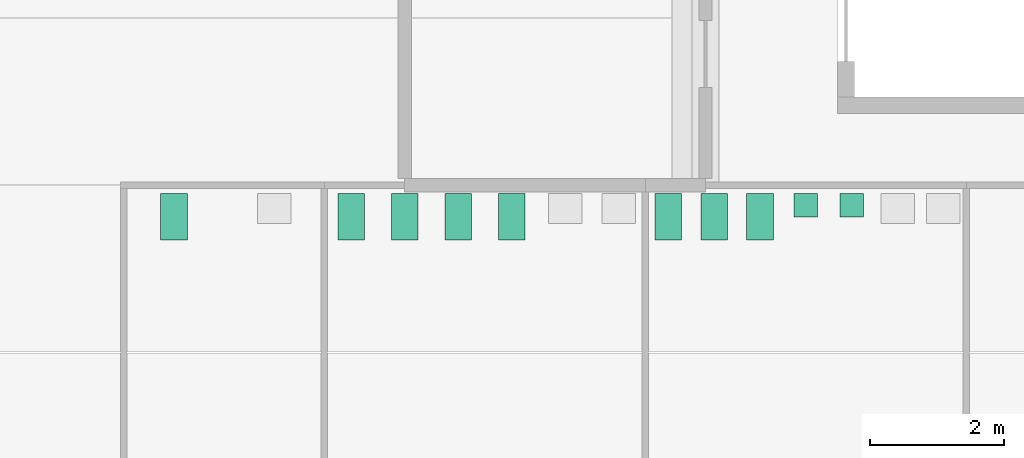
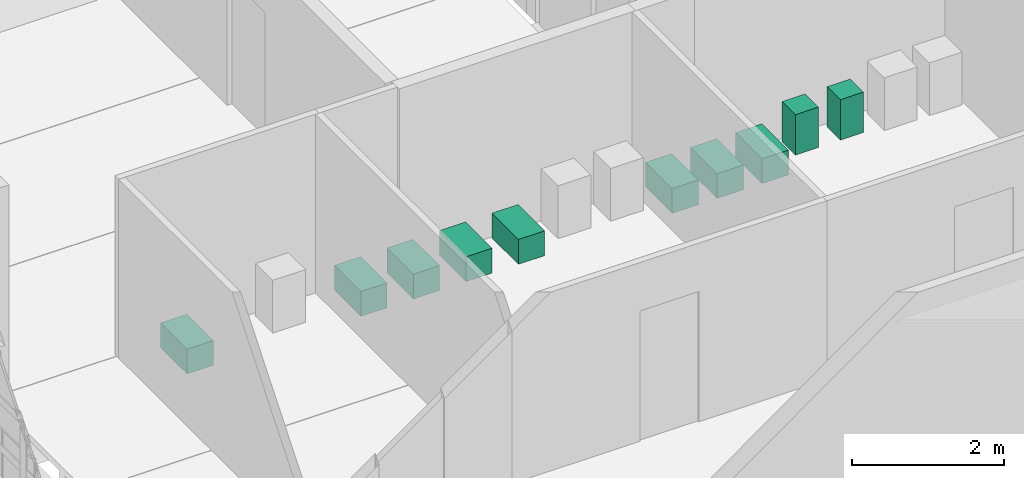
# One storey, part 67 of 67: 10 sanitary terminals.
"""IFC4 building model written with IfcOpenShell, lengths in metres."""

from ifc_helpers import new_model, si_unit, direction, frame, origin, origin_2d, place, context, subcontext, project, spatial, rectangle, extrude, material, type_object, element, save


model = new_model("IFC4")

# Units and contexts
model_context = context("Model", 3, precision=1e-05, world=origin(), true_north=direction((0.0, 1.0)))
body_context = subcontext(model_context, "Body", "Model", "MODEL_VIEW")
ifc_project = project(units=[si_unit("LENGTHUNIT", "METRE"), si_unit("AREAUNIT", "SQUARE_METRE"), si_unit("VOLUMEUNIT", "CUBIC_METRE"), si_unit("PLANEANGLEUNIT", "RADIAN"), si_unit("MASSUNIT", "GRAM", prefix="KILO")], contexts=[model_context])

# Site, building, storey
site_placement = place(None, origin())
site = spatial("IfcSite", under=ifc_project, at=site_placement, CompositionType="ELEMENT")
building_placement = place(site_placement, origin())
building = spatial("IfcBuilding", under=site, at=building_placement, Name="Cour d'Honneur Mobility Palace", CompositionType="ELEMENT")
storey_placement = place(building_placement, frame((0.0, 0.0, 4.5)))
storey = spatial("IfcBuildingStorey", under=building, at=storey_placement, Name="L01", CompositionType="ELEMENT", Elevation=4.5)

# Sanitary terminals
ifc_material_1 = material(Name="Vitreous china")
sanitary_terminal_type_1 = type_object("IfcSanitaryTerminalType", Name="Urinal", PredefinedType="URINAL", material=ifc_material_1)
for number, where, z_axis, x_axis, name in (
    (1, (157.5, 107.10498046875, 0.0), (0.0, 0.0, 1.0), (1.0, 0.0, 0.0), "Urinal WC Men East"),
    (2, (158.185791015625, 107.10498046875, 0.0), (0.0, 0.0, 1.0), (1.0, 0.0, 0.0), "Urinal WC Men East"),
):
    element("IfcSanitaryTerminal", number, at=place(storey_placement, frame(where, z_axis=z_axis, x_axis=x_axis)), inside=storey, type_object=sanitary_terminal_type_1, Name=name, PredefinedType="URINAL", context=body_context, shape_type="SweptSolid", body=[
        extrude(rectangle(XDim=0.35009765625, YDim=0.35009765625, at=origin_2d()), origin(), (0.0, 0.0, 1.0), 0.64990234375),
    ])
ifc_material_2 = material(Name="Vitreous china")
sanitary_terminal_type_2 = type_object("IfcSanitaryTerminalType", Name="Water closet", PredefinedType="WCSEAT", material=ifc_material_2)
for number, where, z_axis, x_axis, name in (
    (3, (155.44287109375, 106.929931640625, 0.0), (0.0, 0.0, 1.0), (1.0, 0.0, 0.0), "Water closet WC Men East"),
    (4, (156.128662109375, 106.929931640625, 0.0), (0.0, 0.0, 1.0), (1.0, 0.0, 0.0), "Water closet WC Men East"),
    (5, (156.814208984375, 106.929931640625, 0.0), (0.0, 0.0, 1.0), (1.0, 0.0, 0.0), "Water closet WC Men East"),
    (6, (150.699951171875, 106.929931640625, 0.0), (0.0, 0.0, 1.0), (1.0, 0.0, 0.0), "Water closet WC Women East"),
    (7, (151.5, 106.929931640625, 0.0), (0.0, 0.0, 1.0), (1.0, 0.0, 0.0), "Water closet WC Women East"),
    (8, (152.300048828125, 106.929931640625, 0.0), (0.0, 0.0, 1.0), (1.0, 0.0, 0.0), "Water closet WC Women East"),
    (9, (153.10009765625, 106.929931640625, 0.0), (0.0, 0.0, 1.0), (1.0, 0.0, 0.0), "Water closet WC Women East"),
    (10, (148.050048828125, 106.929931640625, 0.0), (0.0, 0.0, 1.0), (1.0, 0.0, 0.0), "Water closet Accessible WC East"),
):
    element("IfcSanitaryTerminal", number, at=place(storey_placement, frame(where, z_axis=z_axis, x_axis=x_axis)), inside=storey, type_object=sanitary_terminal_type_2, Name=name, PredefinedType="WCSEAT", context=body_context, shape_type="SweptSolid", body=[
        extrude(rectangle(XDim=0.39990234375, YDim=0.699951171875, at=origin_2d()), origin(), (0.0, 0.0, 1.0), 0.39990234375),
    ])

save(model, "model.ifc")
